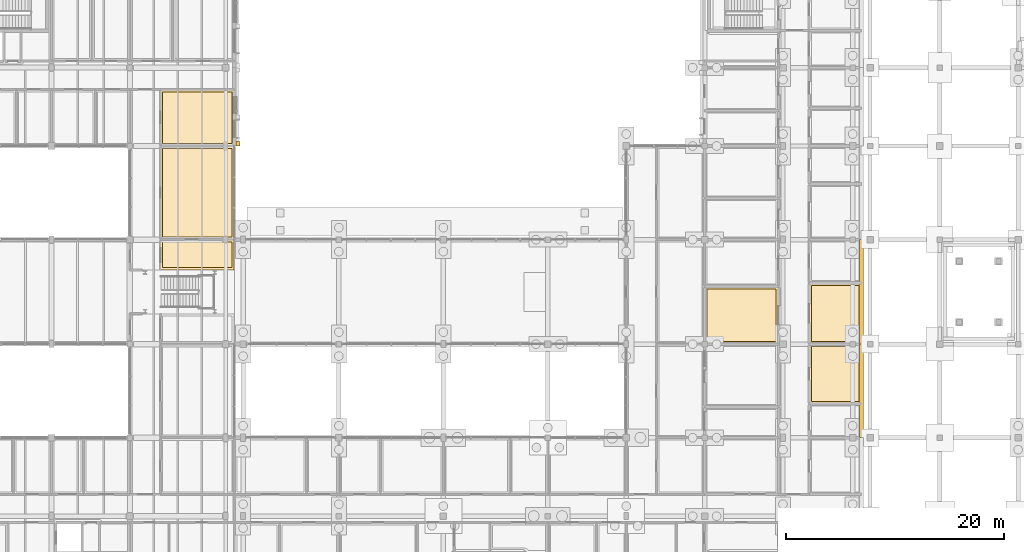
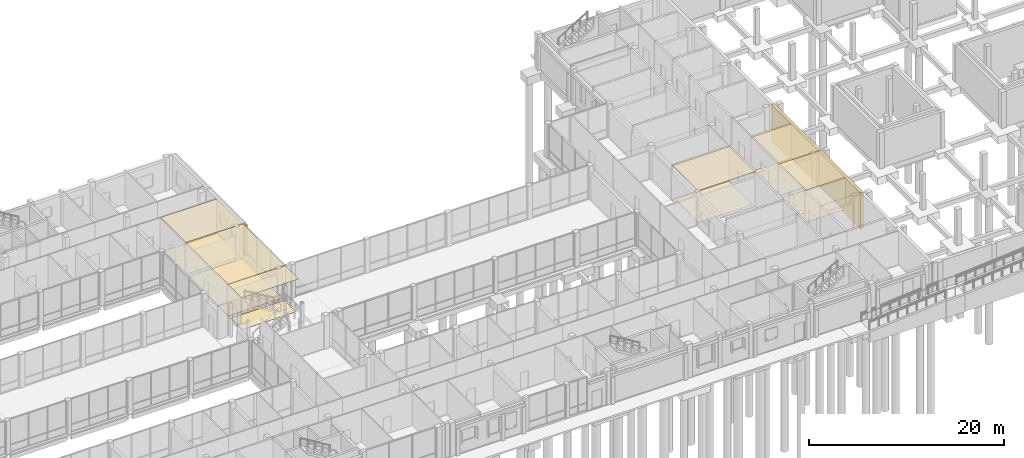
# One storey, part 100 of 104: 15 coverings.
"""IFC4 building model written with IfcOpenShell, lengths in metres."""

from ifc_helpers import new_model, si_unit, direction, frame, frame_2d, origin, origin_2d, place, context, subcontext, project, spatial, polyline, rectangle, outline, extrude, material, layer, layer_set, type_object, element, save


model = new_model("IFC4")

# Units and contexts
model_context = context("Model", 3, precision=1e-05, world=origin(), true_north=direction((0.0, 1.0)))
body_context = subcontext(model_context, "Body", "Model", "MODEL_VIEW")
ifc_project = project(units=[si_unit("LENGTHUNIT", "METRE"), si_unit("AREAUNIT", "SQUARE_METRE"), si_unit("VOLUMEUNIT", "CUBIC_METRE"), si_unit("PLANEANGLEUNIT", "RADIAN"), si_unit("MASSUNIT", "GRAM", prefix="KILO")], contexts=[model_context])

# Site, building, storey
site_placement = place(None, origin())
site = spatial("IfcSite", under=ifc_project, at=site_placement, CompositionType="ELEMENT")
building_placement = place(site_placement, origin())
building = spatial("IfcBuilding", under=site, at=building_placement, Name="Hawrajan Terrace Health Centre", CompositionType="ELEMENT")
storey_placement = place(building_placement, origin())
storey = spatial("IfcBuildingStorey", under=building, at=storey_placement, Name="L00", CompositionType="ELEMENT", Elevation=0.0)

# Coverings
ifc_material_1 = material(Name="Precast concrete C40/50", Category="concrete")
ifc_layer_1 = layer(ifc_material_1, 0.340087890625)
ifc_layer_set_1 = layer_set([ifc_layer_1], Name="Precast concrete C40/50")
covering_type_1 = type_object("IfcCoveringType", Name="ArtDecoStonePilaster", PredefinedType="CLADDING", material=ifc_layer_set_1)
covering_1_placement = place(storey_placement, frame((72.125, 45.6201171875, 0.0), z_axis=(0.0, 0.0, 1.0), x_axis=(0.0, 1.0, 0.0)))
element("IfcCovering", 1, at=covering_1_placement, inside=storey, type_object=covering_type_1, Name="Art Deco fluted limestone pilaster FPIL-L00-0036", PredefinedType="CLADDING", context=body_context, shape_type="SweptSolid", body=[
    extrude(rectangle(XDim=0.39990234375, YDim=0.340087890625, at=origin_2d()), origin(), (0.0, 0.0, 1.0), 3.8798828125),
])
ifc_material_2 = material(Name="Acoustic linear cedar-slat suspended ceiling")
ifc_layer_2 = layer(ifc_material_2, 0.034912109375)
ifc_layer_set_2 = layer_set([ifc_layer_2], Name="Acoustic linear cedar-slat suspended ceiling")
covering_type_2 = type_object("IfcCoveringType", Name="CedarSlatHallCeiling_35", PredefinedType="CEILING", material=ifc_layer_set_2)
covering_2_placement = place(storey_placement, frame((0.0, 0.0, 4.14501953125)))
element("IfcCovering", 2, at=covering_2_placement, inside=storey, type_object=covering_type_2, Name="Suspended ceiling L00-057", PredefinedType="CEILING", context=body_context, shape_type="SweptSolid", body=[
    extrude(outline(polyline([(65.02001953125, 36.780029296875), (71.77490234375, 36.780029296875), (71.77490234375, 34.02001953125), (65.02001953125, 34.02001953125), (65.02001953125, 36.780029296875)])), origin(), (0.0, 0.0, 1.0), 0.034912109375),
])
covering_3_placement = place(storey_placement, frame((0.0, 0.0, 4.14501953125)))
element("IfcCovering", 3, at=covering_3_placement, inside=storey, type_object=covering_type_2, Name="Suspended ceiling L00-058", PredefinedType="CEILING", context=body_context, shape_type="SweptSolid", body=[
    extrude(outline(polyline([(65.02001953125, 45.3798828125), (71.77490234375, 45.3798828125), (71.77490234375, 36.820068359375), (65.02001953125, 36.820068359375), (65.02001953125, 45.3798828125)])), origin(), (0.0, 0.0, 1.0), 0.034912109375),
])
ifc_material_3 = material(Name="Hygienic mineral-fibre acoustic tile ceiling")
ifc_layer_3 = layer(ifc_material_3, 0.02490234375)
ifc_layer_set_3 = layer_set([ifc_layer_3], Name="Hygienic mineral-fibre acoustic tile ceiling")
covering_type_3 = type_object("IfcCoveringType", Name="ClinicalAcousticCeiling_25", PredefinedType="CEILING", material=ifc_layer_set_3)
covering_4_placement = place(storey_placement, frame((0.0, 0.0, 4.155029296875)))
element("IfcCovering", 4, at=covering_4_placement, inside=storey, type_object=covering_type_3, Name="Suspended ceiling L00-088", PredefinedType="CEILING", context=body_context, shape_type="SweptSolid", body=[
    extrude(outline(polyline([(65.02001953125, 50.580078125), (71.77490234375, 50.580078125), (71.77490234375, 45.419921875), (65.02001953125, 45.419921875), (65.02001953125, 50.580078125)])), origin(), (0.0, 0.0, 1.0), 0.02490234375),
])
covering_5_placement = place(storey_placement, frame((0.0, 0.0, 4.155029296875)))
element("IfcCovering", 5, at=covering_5_placement, inside=storey, type_object=covering_type_3, Name="Suspended ceiling L00-129", PredefinedType="CEILING", context=body_context, shape_type="SweptSolid", body=[
    extrude(outline(polyline([(115.02001953125, 32.469482421875), (121.780029296875, 32.469482421875), (121.780029296875, 27.219970703125), (115.02001953125, 27.219970703125), (115.02001953125, 32.469482421875)])), origin(), (0.0, 0.0, 1.0), 0.02490234375),
])
covering_6_placement = place(storey_placement, frame((0.0, 0.0, 4.155029296875)))
element("IfcCovering", 6, at=covering_6_placement, inside=storey, type_object=covering_type_3, Name="Suspended ceiling L00-138", PredefinedType="CEILING", context=body_context, shape_type="SweptSolid", body=[
    extrude(outline(polyline([(124.6201171875, 27.179931640625), (129.375, 27.179931640625), (129.375, 21.75048828125), (124.6201171875, 21.75048828125), (124.6201171875, 27.179931640625)])), origin(), (0.0, 0.0, 1.0), 0.02490234375),
])
covering_7_placement = place(storey_placement, frame((0.0, 0.0, 4.155029296875)))
element("IfcCovering", 7, at=covering_7_placement, inside=storey, type_object=covering_type_3, Name="Suspended ceiling L00-139", PredefinedType="CEILING", context=body_context, shape_type="SweptSolid", body=[
    extrude(outline(polyline([(124.6201171875, 32.7958984375), (129.375, 32.7958984375), (129.375, 27.219970703125), (124.6201171875, 27.219970703125), (124.6201171875, 32.7958984375)])), origin(), (0.0, 0.0, 1.0), 0.02490234375),
])
ifc_material_4 = material(Name="Seamless medical-grade cushioned vinyl flooring")
ifc_layer_4 = layer(ifc_material_4, 0.011962890625)
ifc_layer_set_4 = layer_set([ifc_layer_4], Name="Seamless medical-grade cushioned vinyl flooring")
covering_type_4 = type_object("IfcCoveringType", Name="ClinicalVinylFlooring_12", PredefinedType="FLOORING", material=ifc_layer_set_4)
covering_8_placement = place(storey_placement, origin())
element("IfcCovering", 8, at=covering_8_placement, inside=storey, type_object=covering_type_4, Name="Floor finish L00-088", PredefinedType="FLOORING", context=body_context, shape_type="SweptSolid", body=[
    extrude(outline(polyline([(65.219970703125, 50.3798828125), (71.574951171875, 50.3798828125), (71.574951171875, 45.6201171875), (65.219970703125, 45.6201171875), (65.219970703125, 50.3798828125)])), origin(), (0.0, 0.0, 1.0), 0.011962890625),
])
covering_9_placement = place(storey_placement, origin())
element("IfcCovering", 9, at=covering_9_placement, inside=storey, type_object=covering_type_4, Name="Floor finish L00-129", PredefinedType="FLOORING", context=body_context, shape_type="SweptSolid", body=[
    extrude(outline(polyline([(115.219970703125, 32.26953125), (121.580078125, 32.26953125), (121.580078125, 27.419921875), (115.219970703125, 27.419921875), (115.219970703125, 32.26953125)])), origin(), (0.0, 0.0, 1.0), 0.011962890625),
])
covering_10_placement = place(storey_placement, origin())
element("IfcCovering", 10, at=covering_10_placement, inside=storey, type_object=covering_type_4, Name="Floor finish L00-138", PredefinedType="FLOORING", context=body_context, shape_type="SweptSolid", body=[
    extrude(outline(polyline([(124.820068359375, 26.97998046875), (129.175048828125, 26.97998046875), (129.175048828125, 21.950439453125), (124.820068359375, 21.950439453125), (124.820068359375, 26.97998046875)])), origin(), (0.0, 0.0, 1.0), 0.011962890625),
])
covering_11_placement = place(storey_placement, origin())
element("IfcCovering", 11, at=covering_11_placement, inside=storey, type_object=covering_type_4, Name="Floor finish L00-139", PredefinedType="FLOORING", context=body_context, shape_type="SweptSolid", body=[
    extrude(outline(polyline([(124.820068359375, 32.595947265625), (129.175048828125, 32.595947265625), (129.175048828125, 27.419921875), (124.820068359375, 27.419921875), (124.820068359375, 32.595947265625)])), origin(), (0.0, 0.0, 1.0), 0.011962890625),
])
ifc_layer_5 = layer(ifc_material_1, 0.340087890625)
ifc_layer_set_5 = layer_set([ifc_layer_5], Name="Precast concrete C40/50")
covering_type_5 = type_object("IfcCoveringType", Name="EscarpmentAshlar_Cladding", PredefinedType="CLADDING", material=ifc_layer_set_5)
covering_12_placement = place(storey_placement, frame((129.419921875, 18.60009765625, -0.39990234375), z_axis=(0.0, 0.0, 1.0), x_axis=(0.0, 1.0, 0.0)))
element("IfcCovering", 12, at=covering_12_placement, inside=storey, type_object=covering_type_5, Name="Eastern limestone escarpment plinth cladding EW-ESC-L00-005", PredefinedType="CLADDING", context=body_context, shape_type="SweptSolid", body=[
    extrude(rectangle(XDim=8.599853515625, YDim=0.340087890625, at=frame_2d((4.2998046875, 0.0))), origin(), (0.0, 0.0, 1.0), 4.52001953125),
])
covering_13_placement = place(storey_placement, frame((129.419921875, 27.199951171875, -0.39990234375), z_axis=(0.0, 0.0, 1.0), x_axis=(0.0, 1.0, 0.0)))
element("IfcCovering", 13, at=covering_13_placement, inside=storey, type_object=covering_type_5, Name="Eastern limestone escarpment plinth cladding EW-ESC-L00-006", PredefinedType="CLADDING", context=body_context, shape_type="SweptSolid", body=[
    extrude(rectangle(XDim=9.60009765625, YDim=0.340087890625, at=frame_2d((4.800048828125, 0.0))), origin(), (0.0, 0.0, 1.0), 4.52001953125),
])
ifc_material_5 = material(Name="Polished coral-aggregate terrazzo flooring")
ifc_layer_6 = layer(ifc_material_5, 0.02001953125)
ifc_layer_set_6 = layer_set([ifc_layer_6], Name="Polished coral-aggregate terrazzo flooring")
covering_type_6 = type_object("IfcCoveringType", Name="TerrazzoHallFlooring_20", PredefinedType="FLOORING", material=ifc_layer_set_6)
covering_14_placement = place(storey_placement, origin())
element("IfcCovering", 14, at=covering_14_placement, inside=storey, type_object=covering_type_6, Name="Floor finish L00-057", PredefinedType="FLOORING", context=body_context, shape_type="SweptSolid", body=[
    extrude(outline(polyline([(65.219970703125, 36.580078125), (71.574951171875, 36.580078125), (71.574951171875, 34.219970703125), (65.219970703125, 34.219970703125), (65.219970703125, 36.580078125)])), origin(), (0.0, 0.0, 1.0), 0.02001953125),
])
covering_15_placement = place(storey_placement, origin())
element("IfcCovering", 15, at=covering_15_placement, inside=storey, type_object=covering_type_6, Name="Floor finish L00-058", PredefinedType="FLOORING", context=body_context, shape_type="SweptSolid", body=[
    extrude(outline(polyline([(65.219970703125, 45.179931640625), (71.574951171875, 45.179931640625), (71.574951171875, 37.02001953125), (65.219970703125, 37.02001953125), (65.219970703125, 45.179931640625)])), origin(), (0.0, 0.0, 1.0), 0.02001953125),
])

save(model, "model.ifc")
